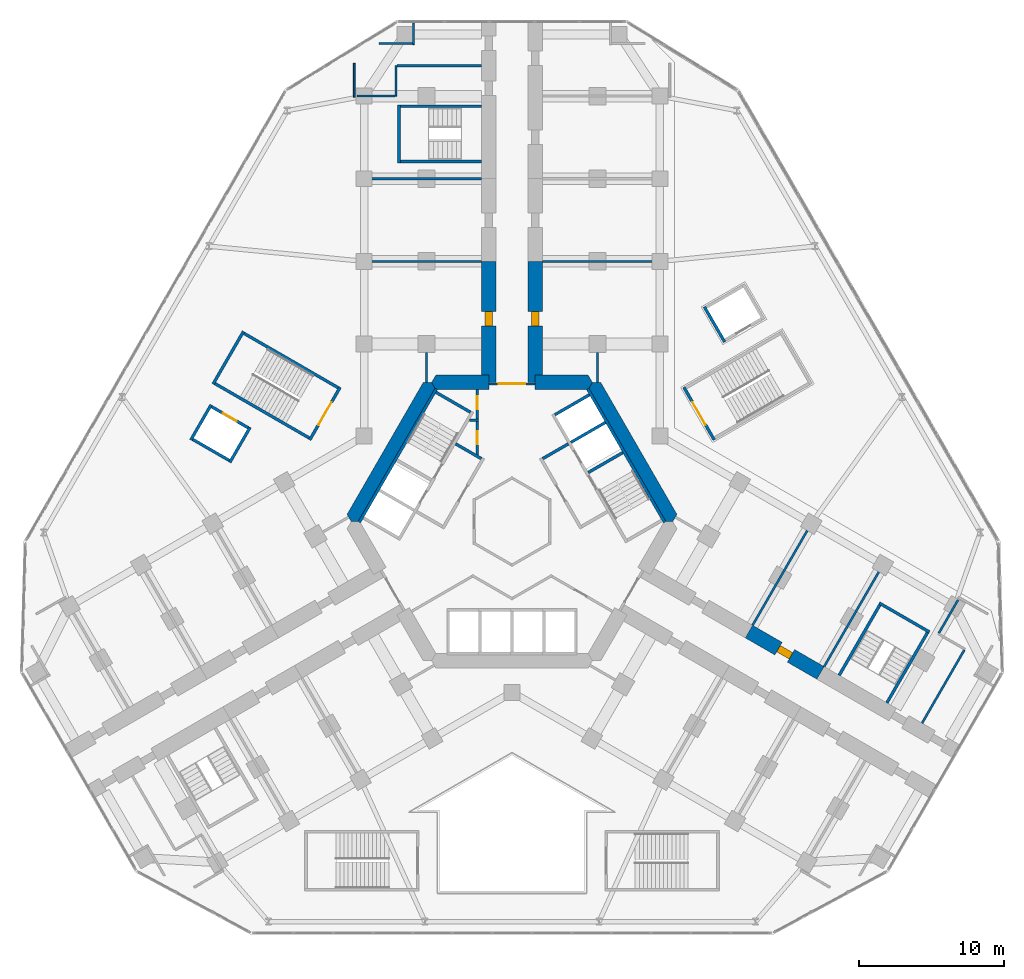
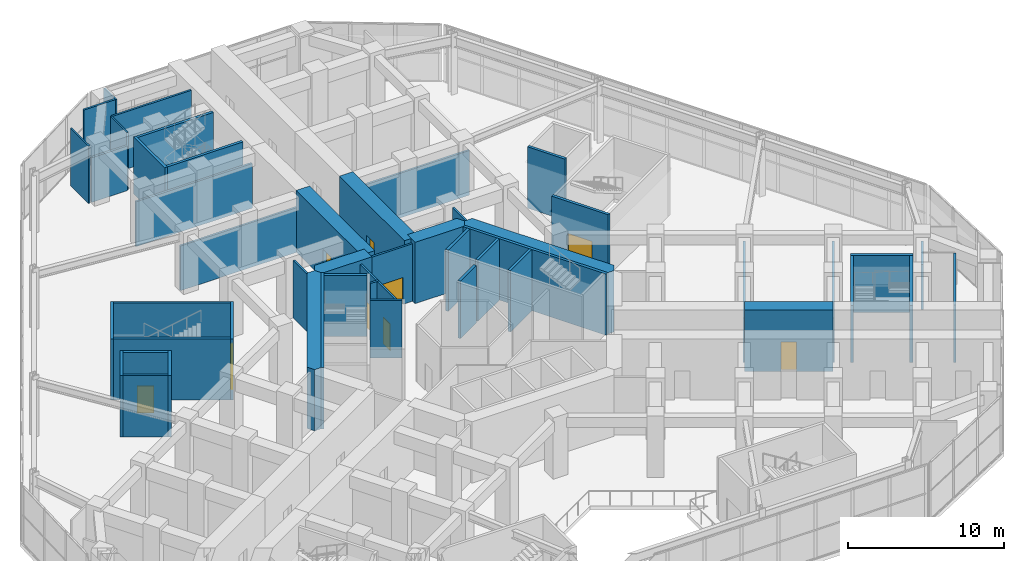
# One storey, part 17 of 22: 49 walls, 9 doors, 9 openings.
"""IFC4 building model written with IfcOpenShell, lengths in metres."""

from ifc_helpers import new_model, si_unit, direction, frame, frame_2d, origin, place, context, subcontext, project, spatial, polyline, rectangle, outline, extrude, material, layer, layer_set, type_object, element, fill, save


model = new_model("IFC4")

# Units and contexts
model_context = context("Model", 3, precision=1e-05, world=origin(), true_north=direction((0.0, 1.0)))
body_context = subcontext(model_context, "Body", "Model", "MODEL_VIEW")
ifc_project = project(units=[si_unit("LENGTHUNIT", "METRE"), si_unit("AREAUNIT", "SQUARE_METRE"), si_unit("VOLUMEUNIT", "CUBIC_METRE"), si_unit("PLANEANGLEUNIT", "RADIAN"), si_unit("MASSUNIT", "GRAM", prefix="KILO")], contexts=[model_context])

# Site, building, storey
site_placement = place(None, origin())
site = spatial("IfcSite", under=ifc_project, at=site_placement, CompositionType="ELEMENT")
building_placement = place(site_placement, origin())
building = spatial("IfcBuilding", under=site, at=building_placement, Name="Kosmar Iwan School Tower", CompositionType="ELEMENT")
storey_placement = place(building_placement, frame((0.0, 0.0, 10.800048828125)))
storey = spatial("IfcBuildingStorey", under=building, at=storey_placement, Name="L02", CompositionType="ELEMENT", Elevation=10.800048828125)

# Wall, openings, doors
ifc_material_1 = material(Name="Gypsum board on steel studs, fire-rated", Category="steel")
ifc_layer_1 = layer(ifc_material_1, 0.14990234375)
ifc_layer_set_1 = layer_set([ifc_layer_1], Name="Core room partition 150")
wall_type_1 = type_object("IfcWallType", Name="Core room partition 150", PredefinedType="PARTITIONING", material=ifc_layer_set_1)
wall_1_placement = place(storey_placement, frame((-2.39990234375, 9.094970703125, 0.0), z_axis=(0.0, 0.0, 1.0), x_axis=(0.0, -1.0, 0.0)))
wall_1 = element("IfcWall", 1, at=wall_1_placement, inside=storey, type_object=wall_type_1, Name="Core room partition L02-CW1", PredefinedType="PARTITIONING", context=body_context, shape_type="SweptSolid", body=[
    extrude(rectangle(XDim=4.564208984375, YDim=0.14990234375, at=frame_2d((2.2822265625, 0.0))), origin(), (0.0, 0.0, 1.0), 4.5),
])
opening_1_placement = place(wall_1_placement, frame((0.455078125, 0.0, 0.0)))
opening_1 = element("IfcOpeningElement", 2, at=opening_1_placement, cuts=wall_1, Name="Opening D14", PredefinedType="OPENING", context=body_context, shape_type="SweptSolid", body=[
    extrude(rectangle(XDim=0.89990234375, YDim=2.10009765625, at=frame_2d((0.449951171875, 1.050048828125))), frame((0.0, 0.0869140625, 0.0), z_axis=(0.0, -1.0, 0.0), x_axis=(1.0, 0.0, 0.0)), (0.0, 0.0, 1.0), 0.173828125),
])
opening_2_placement = place(wall_1_placement, frame((2.85498046875, 0.0, 0.0)))
opening_2 = element("IfcOpeningElement", 3, at=opening_2_placement, cuts=wall_1, Name="Opening D14", PredefinedType="OPENING", context=body_context, shape_type="SweptSolid", body=[
    extrude(rectangle(XDim=0.89990234375, YDim=2.10009765625, at=frame_2d((0.449951171875, 1.050048828125))), frame((0.0, 0.0869140625, 0.0), z_axis=(0.0, -1.0, 0.0), x_axis=(1.0, 0.0, 0.0)), (0.0, 0.0, 1.0), 0.173828125),
])
ifc_material_2 = material(Name="Timber fire door in steel frame", Category="steel")
door_type_1 = type_object("IfcDoorType", Name="Core room door 900x2100", OperationType="SINGLE_SWING_LEFT", PredefinedType="DOOR", material=ifc_material_2)
door_1_placement = place(opening_1_placement, origin())
door_1 = element("IfcDoor", 4, at=door_1_placement, inside=storey, type_object=door_type_1, Name="Electrical riser and switch room door L02 1", OperationType="SINGLE_SWING_LEFT", OverallHeight=2.10009765625, OverallWidth=0.89990234375, PredefinedType="DOOR", context=body_context, shape_type="SweptSolid", body=[
    extrude(rectangle(XDim=0.89990234375, YDim=2.10009765625, at=frame_2d((0.449951171875, 1.050048828125))), frame((0.0, 0.02490234375, 0.0), z_axis=(0.0, -1.0, 0.0), x_axis=(1.0, 0.0, 0.0)), (0.0, 0.0, 1.0), 0.050048828125),
])
fill(opening_1, door_1)
door_2_placement = place(opening_2_placement, origin())
door_2 = element("IfcDoor", 5, at=door_2_placement, inside=storey, type_object=door_type_1, Name="Plumbing and wet riser door L02 2", OperationType="SINGLE_SWING_RIGHT", OverallHeight=2.10009765625, OverallWidth=0.89990234375, PredefinedType="DOOR", context=body_context, shape_type="SweptSolid", body=[
    extrude(rectangle(XDim=0.89990234375, YDim=2.10009765625, at=frame_2d((0.449951171875, 1.050048828125))), frame((0.0, 0.02490234375, 0.0), z_axis=(0.0, -1.0, 0.0), x_axis=(1.0, 0.0, 0.0)), (0.0, 0.0, 1.0), 0.050048828125),
])
fill(opening_2, door_2)

# Walls
wall_2_placement = place(storey_placement, frame((-2.324951171875, 6.985107421875, 0.0), z_axis=(0.0, 0.0, 1.0), x_axis=(-1.0, 0.0, 0.0)))
element("IfcWall", 6, at=wall_2_placement, inside=storey, type_object=wall_type_1, Name="Core room partition L02-CW2", PredefinedType="PARTITIONING", context=body_context, shape_type="SweptSolid", body=[
    extrude(rectangle(XDim=0.623779296875, YDim=0.14990234375, at=frame_2d((0.31201171875, 0.0))), origin(), (0.0, 0.0, 1.0), 4.5),
])
ifc_material_3 = material(Name="Concrete C50/60", Category="concrete")
ifc_layer_2 = layer(ifc_material_3, 1.0)
ifc_layer_set_2 = layer_set([ifc_layer_2], Name="Core wall 1000")
wall_type_2 = type_object("IfcWallType", Name="Core wall 1000", PredefinedType="SHEAR", material=ifc_layer_set_2)
wall_3_placement = place(storey_placement, origin())
element("IfcWall", 7, at=wall_3_placement, inside=storey, type_object=wall_type_2, Name="Core wall F030", PredefinedType="SHEAR", context=body_context, shape_type="SweptSolid", body=[
    extrude(outline(polyline([(10.5078125, 0.0), (11.085205078125, 0.0), (11.373779296875, 0.5), (6.119873046875, 9.60009765625), (5.54248046875, 9.60009765625), (5.25390625, 9.10009765625), (10.5078125, 0.0)])), origin(), (0.0, 0.0, 1.0), 4.800048828125),
])
wall_4_placement = place(storey_placement, origin())
element("IfcWall", 8, at=wall_4_placement, inside=storey, type_object=wall_type_2, Name="Core wall F090a", PredefinedType="SHEAR", context=body_context, shape_type="SweptSolid", body=[
    extrude(outline(polyline([(1.60009765625, 9.10009765625), (5.25390625, 9.10009765625), (5.54248046875, 9.60009765625), (5.25390625, 10.10009765625), (1.60009765625, 10.10009765625), (1.60009765625, 9.10009765625)])), origin(), (0.0, 0.0, 1.0), 4.800048828125),
])
wall_5_placement = place(storey_placement, origin())
element("IfcWall", 9, at=wall_5_placement, inside=storey, type_object=wall_type_2, Name="Core wall F090b", PredefinedType="SHEAR", context=body_context, shape_type="SweptSolid", body=[
    extrude(outline(polyline([(-5.25390625, 9.10009765625), (-1.60009765625, 9.10009765625), (-1.60009765625, 10.10009765625), (-5.25390625, 10.10009765625), (-5.54248046875, 9.60009765625), (-5.25390625, 9.10009765625)])), origin(), (0.0, 0.0, 1.0), 4.800048828125),
])
wall_6_placement = place(storey_placement, origin())
element("IfcWall", 10, at=wall_6_placement, inside=storey, type_object=wall_type_2, Name="Core wall F150", PredefinedType="SHEAR", context=body_context, shape_type="SweptSolid", body=[
    extrude(outline(polyline([(-11.085205078125, 0.0), (-10.5078125, 0.0), (-5.25390625, 9.10009765625), (-5.54248046875, 9.60009765625), (-6.119873046875, 9.60009765625), (-11.373779296875, 0.5), (-11.085205078125, 0.0)])), origin(), (0.0, 0.0, 1.0), 4.800048828125),
])

# Wall, opening, door
ifc_material_4 = material(Name="Concrete C50/60", Category="concrete")
ifc_layer_3 = layer(ifc_material_4, 1.0)
ifc_layer_set_3 = layer_set([ifc_layer_3], Name="Corridor buttress wall 1000")
wall_type_3 = type_object("IfcWallType", Name="Corridor buttress wall 1000", PredefinedType="SHEAR", material=ifc_layer_set_3)
wall_7_placement = place(storey_placement, frame((-1.60009765625, 9.60009765625, 0.0), z_axis=(0.0, 0.0, 1.0), x_axis=(0.0, 1.0, 0.0)))
wall_7 = element("IfcWall", 11, at=wall_7_placement, inside=storey, type_object=wall_type_3, Name="Corridor wall AL", PredefinedType="SHEAR", context=body_context, shape_type="SweptSolid", body=[
    extrude(rectangle(XDim=8.349853515625, YDim=1.0, at=frame_2d((4.1748046875, 0.0))), origin(), (0.0, 0.0, 1.0), 4.800048828125),
])
opening_3_placement = place(wall_7_placement, frame((3.875, 0.0, 0.0)))
opening_3 = element("IfcOpeningElement", 12, at=opening_3_placement, cuts=wall_7, Name="Opening D4", PredefinedType="OPENING", context=body_context, shape_type="SweptSolid", body=[
    extrude(rectangle(XDim=1.0, YDim=2.300048828125, at=frame_2d((0.5, 1.14990234375))), frame((0.0, 0.511962890625, 0.0), z_axis=(0.0, -1.0, 0.0), x_axis=(1.0, 0.0, 0.0)), (0.0, 0.0, 1.0), 1.02392578125),
])
ifc_material_5 = material(Name="Timber fire door with vision panel", Category="wood")
door_type_2 = type_object("IfcDoorType", Name="Classroom door 1000x2300", OperationType="SINGLE_SWING_LEFT", PredefinedType="DOOR", material=ifc_material_5)
door_3_placement = place(opening_3_placement, origin())
door_3 = element("IfcDoor", 13, at=door_3_placement, inside=storey, type_object=door_type_2, Name="Primary classroom AL1 door L02-AL1", OperationType="SINGLE_SWING_RIGHT", OverallHeight=2.300048828125, OverallWidth=1.0, PredefinedType="DOOR", context=body_context, shape_type="SweptSolid", body=[
    extrude(rectangle(XDim=1.0, YDim=2.300048828125, at=frame_2d((0.5, 1.14990234375))), frame((0.0, 0.25, 0.0), z_axis=(0.0, -1.0, 0.0), x_axis=(1.0, 0.0, 0.0)), (0.0, 0.0, 1.0), 0.5),
])
fill(opening_3, door_3)

wall_8_placement = place(storey_placement, frame((1.60009765625, 9.60009765625, 0.0), z_axis=(0.0, 0.0, 1.0), x_axis=(0.0, 1.0, 0.0)))
wall_8 = element("IfcWall", 14, at=wall_8_placement, inside=storey, type_object=wall_type_3, Name="Corridor wall AR", PredefinedType="SHEAR", context=body_context, shape_type="SweptSolid", body=[
    extrude(rectangle(XDim=8.349853515625, YDim=1.0, at=frame_2d((4.1748046875, 0.0))), origin(), (0.0, 0.0, 1.0), 4.800048828125),
])
opening_4_placement = place(wall_8_placement, frame((3.875, 0.0, 0.0)))
opening_4 = element("IfcOpeningElement", 15, at=opening_4_placement, cuts=wall_8, Name="Opening D4", PredefinedType="OPENING", context=body_context, shape_type="SweptSolid", body=[
    extrude(rectangle(XDim=1.0, YDim=2.300048828125, at=frame_2d((0.5, 1.14990234375))), frame((0.0, 0.511962890625, 0.0), z_axis=(0.0, -1.0, 0.0), x_axis=(1.0, 0.0, 0.0)), (0.0, 0.0, 1.0), 1.02392578125),
])
door_4_placement = place(opening_4_placement, origin())
door_4 = element("IfcDoor", 16, at=door_4_placement, inside=storey, type_object=door_type_2, Name="Primary classroom AR1 door L02-AR1", OperationType="SINGLE_SWING_RIGHT", OverallHeight=2.300048828125, OverallWidth=1.0, PredefinedType="DOOR", context=body_context, shape_type="SweptSolid", body=[
    extrude(rectangle(XDim=1.0, YDim=2.300048828125, at=frame_2d((0.5, 1.14990234375))), frame((0.0, 0.25, 0.0), z_axis=(0.0, -1.0, 0.0), x_axis=(1.0, 0.0, 0.0)), (0.0, 0.0, 1.0), 0.5),
])
fill(opening_4, door_4)

wall_9_placement = place(storey_placement, frame((16.34521484375, -7.58935546875, 0.0), z_axis=(0.0, 0.0, 1.0), x_axis=(0.866015111908, -0.50001782563, 0.0)))
wall_9 = element("IfcWall", 17, at=wall_9_placement, inside=storey, type_object=wall_type_3, Name="Corridor wall CL bay 2", PredefinedType="SHEAR", context=body_context, shape_type="SweptSolid", body=[
    extrude(rectangle(XDim=5.699951171875, YDim=1.0, at=frame_2d((2.85009765625, 0.0))), origin(), (0.0, 0.0, 1.0), 4.800048828125),
])
opening_5_placement = place(wall_9_placement, frame((2.35009765625, 0.0, 0.0)))
opening_5 = element("IfcOpeningElement", 18, at=opening_5_placement, cuts=wall_9, Name="Opening D4", PredefinedType="OPENING", context=body_context, shape_type="SweptSolid", body=[
    extrude(rectangle(XDim=1.0, YDim=2.300048828125, at=frame_2d((0.5, 1.14990234375))), frame((0.0, 0.511962890625, 0.0), z_axis=(0.0, -1.0, 0.0), x_axis=(1.0, 0.0, 0.0)), (0.0, 0.0, 1.0), 1.02392578125),
])
door_5_placement = place(opening_5_placement, origin())
door_5 = element("IfcDoor", 19, at=door_5_placement, inside=storey, type_object=door_type_2, Name="Primary classroom CL2 door L02-CL2", OperationType="SINGLE_SWING_RIGHT", OverallHeight=2.300048828125, OverallWidth=1.0, PredefinedType="DOOR", context=body_context, shape_type="SweptSolid", body=[
    extrude(rectangle(XDim=1.0, YDim=2.300048828125, at=frame_2d((0.5, 1.14990234375))), frame((0.0, 0.25, 0.0), z_axis=(0.0, -1.0, 0.0), x_axis=(1.0, 0.0, 0.0)), (0.0, 0.0, 1.0), 0.5),
])
fill(opening_5, door_5)

ifc_material_6 = material(Name="Steel framed glazed screen", Category="steel")
ifc_layer_4 = layer(ifc_material_6, 0.14990234375)
ifc_layer_set_4 = layer_set([ifc_layer_4], Name="Corridor screen wall 150")
wall_type_4 = type_object("IfcWallType", Name="Corridor screen wall 150", PredefinedType="PARTITIONING", material=ifc_layer_set_4)
wall_10_placement = place(storey_placement, frame((1.60009765625, 9.5, 0.0), z_axis=(0.0, 0.0, 1.0), x_axis=(-1.0, 0.0, 0.0)))
wall_10 = element("IfcWall", 20, at=wall_10_placement, inside=storey, type_object=wall_type_4, Name="Corridor screen A L02", PredefinedType="PARTITIONING", context=body_context, shape_type="SweptSolid", body=[
    extrude(rectangle(XDim=3.2001953125, YDim=0.14990234375, at=frame_2d((1.60009765625, 0.0))), origin(), (0.0, 0.0, 1.0), 4.5),
])
opening_6_placement = place(wall_10_placement, frame((0.699951171875, 0.0, 0.0)))
opening_6 = element("IfcOpeningElement", 21, at=opening_6_placement, cuts=wall_10, Name="Opening D9", PredefinedType="OPENING", context=body_context, shape_type="SweptSolid", body=[
    extrude(rectangle(XDim=1.800048828125, YDim=2.10009765625, at=frame_2d((0.89990234375, 1.050048828125))), frame((0.0, 0.0869140625, 0.0), z_axis=(0.0, -1.0, 0.0), x_axis=(1.0, 0.0, 0.0)), (0.0, 0.0, 1.0), 0.173828125),
])
ifc_material_7 = material(Name="Steel framed glazed smoke door", Category="steel")
door_type_3 = type_object("IfcDoorType", Name="Corridor smoke door pair 1800x2100", OperationType="DOUBLE_DOOR_DOUBLE_SWING", PredefinedType="DOOR", material=ifc_material_7)
door_6_placement = place(opening_6_placement, origin())
door_6 = element("IfcDoor", 22, at=door_6_placement, inside=storey, type_object=door_type_3, Name="Corridor doors A L02", OperationType="DOUBLE_DOOR_DOUBLE_SWING", OverallHeight=2.10009765625, OverallWidth=1.800048828125, PredefinedType="DOOR", context=body_context, shape_type="SweptSolid", body=[
    extrude(rectangle(XDim=1.800048828125, YDim=2.10009765625, at=frame_2d((0.89990234375, 1.050048828125))), frame((0.0, 0.02490234375, 0.0), z_axis=(0.0, -1.0, 0.0), x_axis=(1.0, 0.0, 0.0)), (0.0, 0.0, 1.0), 0.050048828125),
])
fill(opening_6, door_6)

# Walls
ifc_material_8 = material(Name="Gypsum board on steel studs", Category="steel")
ifc_layer_5 = layer(ifc_material_8, 0.1201171875)
ifc_layer_set_5 = layer_set([ifc_layer_5], Name="Dwelling partition 120")
wall_type_5 = type_object("IfcWallType", Name="Dwelling partition 120", PredefinedType="PARTITIONING", material=ifc_layer_set_5)
wall_11_placement = place(storey_placement, frame((-6.7900390625, 32.89990234375, 0.0), z_axis=(0.0, 0.0, 1.0), x_axis=(0.0, 1.0, 0.0)))
element("IfcWall", 23, at=wall_11_placement, inside=storey, type_object=wall_type_5, Name="Partition L02-AL-DL", PredefinedType="PARTITIONING", context=body_context, shape_type="SweptSolid", body=[
    extrude(rectangle(XDim=1.4951171875, YDim=0.1201171875, at=frame_2d((0.74755859375, 0.0))), origin(), (0.0, 0.0, 1.0), 4.5),
])
wall_12_placement = place(storey_placement, frame((-10.8798828125, 29.27490234375, 0.0), z_axis=(0.0, 0.0, 1.0), x_axis=(0.0, 1.0, 0.0)))
element("IfcWall", 24, at=wall_12_placement, inside=storey, type_object=wall_type_5, Name="Partition L02-AL-TW", PredefinedType="PARTITIONING", context=body_context, shape_type="SweptSolid", body=[
    extrude(rectangle(XDim=2.3251953125, YDim=0.1201171875, at=frame_2d((1.16259765625, 0.0))), origin(), (0.0, 0.0, 1.0), 4.5),
])
wall_13_placement = place(storey_placement, frame((-8.0, 29.35009765625, 0.0), z_axis=(0.0, 0.0, 1.0), x_axis=(0.0, 1.0, 0.0)))
element("IfcWall", 25, at=wall_13_placement, inside=storey, type_object=wall_type_5, Name="Partition L02-AL-X3L", PredefinedType="PARTITIONING", context=body_context, shape_type="SweptSolid", body=[
    extrude(rectangle(XDim=2.099853515625, YDim=0.1201171875, at=frame_2d((1.0498046875, 0.0))), origin(), (0.0, 0.0, 1.0), 4.5),
])
ifc_material_9 = material(Name="Concrete C35/45", Category="concrete")
ifc_layer_6 = layer(ifc_material_9, 0.199951171875)
ifc_layer_set_6 = layer_set([ifc_layer_6], Name="Escape stair wall 200")
wall_type_6 = type_object("IfcWallType", Name="Escape stair wall 200", PredefinedType="SHEAR", material=ifc_layer_set_6)
for number, where, z_axis, x_axis, name in (
    (26, (-2.10009765625, 24.85009765625, 0.0), (0.0, 0.0, 1.0), (-1.0, 0.0, 0.0), "Stair WS1 wall"),
    (27, (-2.10009765625, 28.64990234375, 0.0), (0.0, 0.0, 1.0), (-1.0, 0.0, 0.0), "Stair WS1 wall"),
):
    element("IfcWall", number, at=place(storey_placement, frame(where, z_axis=z_axis, x_axis=x_axis)), inside=storey, type_object=wall_type_6, Name=name, PredefinedType="SHEAR", context=body_context, shape_type="SweptSolid", body=[
        extrude(rectangle(XDim=5.7998046875, YDim=0.199951171875, at=frame_2d((2.89990234375, 0.0))), origin(), (0.0, 0.0, 1.0), 4.47998046875),
    ])
wall_14_placement = place(storey_placement, frame((-7.800048828125, 24.75, 0.0), z_axis=(0.0, 0.0, 1.0), x_axis=(0.0, 1.0, 0.0)))
element("IfcWall", 28, at=wall_14_placement, inside=storey, type_object=wall_type_6, Name="Stair WS1 wall", PredefinedType="SHEAR", context=body_context, shape_type="SweptSolid", body=[
    extrude(rectangle(XDim=4.0, YDim=0.199951171875, at=frame_2d((2.0, 0.0))), origin(), (0.0, 0.0, 1.0), 4.47998046875),
])
for number, where, z_axis, x_axis, name in (
    (29, (22.57080078125, -10.6064453125, 0.0), (0.0, 0.0, 1.0), (0.499987231761, 0.866032775405, 0.0), "Stair WS3 wall"),
    (30, (25.861572265625, -12.50634765625, 0.0), (0.0, 0.0, 1.0), (0.500018801468, 0.86601454848, 0.0), "Stair WS3 wall"),
):
    element("IfcWall", number, at=place(storey_placement, frame(where, z_axis=z_axis, x_axis=x_axis)), inside=storey, type_object=wall_type_6, Name=name, PredefinedType="SHEAR", context=body_context, shape_type="SweptSolid", body=[
        extrude(rectangle(XDim=5.800048828125, YDim=0.199951171875, at=frame_2d((2.89990234375, 0.0))), origin(), (0.0, 0.0, 1.0), 4.47998046875),
    ])
wall_15_placement = place(storey_placement, frame((25.334228515625, -5.6201171875, 0.0), z_axis=(0.0, 0.0, 1.0), x_axis=(0.866026010844, -0.49999894854, 0.0)))
element("IfcWall", 31, at=wall_15_placement, inside=storey, type_object=wall_type_6, Name="Stair WS3 wall", PredefinedType="SHEAR", context=body_context, shape_type="SweptSolid", body=[
    extrude(rectangle(XDim=4.0, YDim=0.199951171875, at=frame_2d((2.0, 0.0))), origin(), (0.0, 0.0, 1.0), 4.47998046875),
])
ifc_material_10 = material(Name="Concrete block masonry", Category="masonry")
ifc_layer_7 = layer(ifc_material_10, 0.199951171875)
ifc_layer_set_7 = layer_set([ifc_layer_7], Name="Fire lobby wall 200")
wall_type_7 = type_object("IfcWallType", Name="Fire lobby wall 200", PredefinedType="PARTITIONING", material=ifc_layer_set_7)
for number, where, z_axis, x_axis, name in (
    (32, (-2.114013671875, 4.33837890625, 0.0), (0.0, 0.0, 1.0), (-0.866050731258, 0.499956128963, 0.0), "Firefighting lobby wall ST2"),
    (33, (2.114013671875, 4.33837890625, 0.0), (0.0, 0.0, 1.0), (0.866050731258, 0.499956128963, 0.0), "Firefighting lobby wall ST1"),
):
    element("IfcWall", number, at=place(storey_placement, frame(where, z_axis=z_axis, x_axis=x_axis)), inside=storey, type_object=wall_type_7, Name=name, PredefinedType="PARTITIONING", context=body_context, shape_type="SweptSolid", body=[
        extrude(rectangle(XDim=2.050048828125, YDim=0.199951171875, at=frame_2d((1.02490234375, 0.0))), origin(), (0.0, 0.0, 1.0), 4.5),
    ])
ifc_material_11 = material(Name="Concrete C50/60", Category="concrete")
ifc_layer_8 = layer(ifc_material_11, 0.199951171875)
ifc_layer_set_8 = layer_set([ifc_layer_8], Name="Lift shaft wall 200")
wall_type_8 = type_object("IfcWallType", Name="Lift shaft wall 200", PredefinedType="SHEAR", material=ifc_layer_set_8)
for number, where, z_axis, x_axis, name in (
    (34, (-5.22509765625, 9.14990234375, 0.0), (0.0, 0.0, 1.0), (-0.499994998079, -0.866028291626, 0.0), "Lift and stair back wall AB"),
    (35, (10.53662109375, -0.050048828125, 0.0), (0.0, 0.0, 1.0), (-0.499994998079, 0.866028291626, 0.0), "Lift and stair back wall AC"),
):
    element("IfcWall", number, at=place(storey_placement, frame(where, z_axis=z_axis, x_axis=x_axis)), inside=storey, type_object=wall_type_8, Name=name, PredefinedType="SHEAR", context=body_context, shape_type="SweptSolid", body=[
        extrude(rectangle(XDim=10.623046875, YDim=0.199951171875, at=frame_2d((5.3115234375, 0.0))), origin(), (0.0, 0.0, 1.0), 4.800048828125),
    ])
for number, where, z_axis, x_axis, name in (
    (36, (4.062744140625, 5.46337890625, 0.0), (0.0, 0.0, 1.0), (0.866027397988, 0.499996545922, 0.0), "Lift shaft wall AC 1"),
    (37, (2.962646484375, 7.368408203125, 0.0), (0.0, 0.0, 1.0), (0.866027397988, 0.499996545922, 0.0), "Lift shaft wall AC 2"),
):
    element("IfcWall", number, at=place(storey_placement, frame(where, z_axis=z_axis, x_axis=x_axis)), inside=storey, type_object=wall_type_8, Name=name, PredefinedType="SHEAR", context=body_context, shape_type="SweptSolid", body=[
        extrude(rectangle(XDim=2.75, YDim=0.199951171875, at=frame_2d((1.375, 0.0))), origin(), (0.0, 0.0, 1.0), 4.800048828125),
    ])
for number, where, z_axis, x_axis, name in (
    (38, (14.66796875, 12.39453125, 0.0), (0.0, 0.0, 1.0), (-0.500049511043, 0.865996816683, 0.0), "School lift SL1 shaft wall"),
    (39, (-18.06787109375, 6.505615234375, 0.0), (0.0, 0.0, 1.0), (-0.49994636267, -0.866056369097, 0.0), "School lift SL2 shaft wall"),
    (40, (-20.75244140625, 8.055419921875, 0.0), (0.0, 0.0, 1.0), (-0.500049511043, -0.865996816683, 0.0), "School lift SL2 shaft wall"),
):
    element("IfcWall", number, at=place(storey_placement, frame(where, z_axis=z_axis, x_axis=x_axis)), inside=storey, type_object=wall_type_8, Name=name, PredefinedType="SHEAR", context=body_context, shape_type="SweptSolid", body=[
        extrude(rectangle(XDim=2.800048828125, YDim=0.199951171875, at=frame_2d((1.39990234375, 0.0))), origin(), (0.0, 0.0, 1.0), 4.800048828125),
    ])
wall_16_placement = place(storey_placement, frame((-19.50439453125, 4.21728515625, 0.0), z_axis=(0.0, 0.0, 1.0), x_axis=(-0.866032775405, 0.499987231761, 0.0)))
element("IfcWall", 41, at=wall_16_placement, inside=storey, type_object=wall_type_8, Name="School lift SL2 shaft wall", PredefinedType="SHEAR", context=body_context, shape_type="SweptSolid", body=[
    extrude(rectangle(XDim=2.89990234375, YDim=0.199951171875, at=frame_2d((1.449951171875, 0.0))), origin(), (0.0, 0.0, 1.0), 4.800048828125),
])

# Wall, opening, door
wall_17_placement = place(storey_placement, frame((-18.20458984375, 6.468994140625, 0.0), z_axis=(0.0, 0.0, 1.0), x_axis=(-0.866032775405, 0.499987231761, 0.0)))
wall_17 = element("IfcWall", 42, at=wall_17_placement, inside=storey, type_object=wall_type_8, Name="School lift SL2 shaft wall", PredefinedType="SHEAR", context=body_context, shape_type="SweptSolid", body=[
    extrude(rectangle(XDim=2.89990234375, YDim=0.199951171875, at=frame_2d((1.449951171875, 0.0))), origin(), (0.0, 0.0, 1.0), 4.800048828125),
])
opening_7_placement = place(wall_17_placement, frame((0.89990234375, 0.0, 0.0)))
opening_7 = element("IfcOpeningElement", 43, at=opening_7_placement, cuts=wall_17, Name="Opening LD1", PredefinedType="OPENING", context=body_context, shape_type="SweptSolid", body=[
    extrude(rectangle(XDim=1.10009765625, YDim=2.10009765625, at=frame_2d((0.550048828125, 1.050048828125))), frame((0.0, 0.112060546875, 0.0), z_axis=(0.0, -1.0, 0.0), x_axis=(1.0, 0.0, 0.0)), (0.0, 0.0, 1.0), 0.223876953125),
])
ifc_material_12 = material(Name="Stainless steel sliding lift door", Category="steel")
door_type_4 = type_object("IfcDoorType", Name="Lift landing door 1100x2100", OperationType="SLIDING_TO_LEFT", PredefinedType="DOOR", material=ifc_material_12)
door_7_placement = place(opening_7_placement, origin())
door_7 = element("IfcDoor", 44, at=door_7_placement, inside=storey, type_object=door_type_4, Name="Lift SL2 landing door L02", OperationType="SLIDING_TO_LEFT", OverallHeight=2.10009765625, OverallWidth=1.10009765625, PredefinedType="DOOR", context=body_context, shape_type="SweptSolid", body=[
    extrude(rectangle(XDim=1.10009765625, YDim=2.10009765625, at=frame_2d((0.550048828125, 1.050048828125))), frame((0.0, 0.02490234375, 0.0), z_axis=(0.0, -1.0, 0.0), x_axis=(1.0, 0.0, 0.0)), (0.0, 0.0, 1.0), 0.050048828125),
])
fill(opening_7, door_7)

# Walls
ifc_material_13 = material(Name="Gypsum board on steel studs", Category="steel")
ifc_layer_9 = layer(ifc_material_13, 0.14990234375)
ifc_layer_set_9 = layer_set([ifc_layer_9], Name="School partition 150")
wall_type_9 = type_object("IfcWallType", Name="School partition 150", PredefinedType="PARTITIONING", material=ifc_layer_set_9)
wall_18_placement = place(storey_placement, frame((-5.89990234375, 9.60009765625, 0.0), z_axis=(0.0, 0.0, 1.0), x_axis=(0.0, 1.0, 0.0)))
element("IfcWall", 45, at=wall_18_placement, inside=storey, type_object=wall_type_9, Name="Partition L02-AL-NB", PredefinedType="PARTITIONING", context=body_context, shape_type="SweptSolid", body=[
    extrude(rectangle(XDim=2.0498046875, YDim=0.14990234375, at=frame_2d((1.02490234375, 0.0))), origin(), (0.0, 0.0, 1.0), 4.5),
])
wall_19_placement = place(storey_placement, frame((-6.72998046875, 32.97509765625, 0.0), z_axis=(0.0, 0.0, 1.0), x_axis=(-1.0, 0.0, 0.0)))
element("IfcWall", 46, at=wall_19_placement, inside=storey, type_object=wall_type_9, Name="Partition L02-AL-DC", PredefinedType="PARTITIONING", context=body_context, shape_type="SweptSolid", body=[
    extrude(rectangle(XDim=2.445068359375, YDim=0.14990234375, at=frame_2d((1.22265625, 0.0))), origin(), (0.0, 0.0, 1.0), 4.5),
])
for number, where, z_axis, x_axis, name in (
    (47, (-2.10009765625, 17.949951171875, 0.0), (0.0, 0.0, 1.0), (-1.0, 0.0, 0.0), "Partition L02-AL-X1"),
    (48, (-2.10009765625, 23.64990234375, 0.0), (0.0, 0.0, 1.0), (-1.0, 0.0, 0.0), "Partition L02-AL-X2"),
):
    element("IfcWall", number, at=place(storey_placement, frame(where, z_axis=z_axis, x_axis=x_axis)), inside=storey, type_object=wall_type_9, Name=name, PredefinedType="PARTITIONING", context=body_context, shape_type="SweptSolid", body=[
        extrude(rectangle(XDim=8.599853515625, YDim=0.14990234375, at=frame_2d((4.2998046875, 0.0))), origin(), (0.0, 0.0, 1.0), 3.5),
    ])
wall_20_placement = place(storey_placement, frame((-8.06005859375, 29.35009765625, 0.0), z_axis=(0.0, 0.0, 1.0), x_axis=(-1.0, 0.0, 0.0)))
element("IfcWall", 49, at=wall_20_placement, inside=storey, type_object=wall_type_9, Name="Partition L02-AL-X3", PredefinedType="PARTITIONING", context=body_context, shape_type="SweptSolid", body=[
    extrude(rectangle(XDim=2.639892578125, YDim=0.14990234375, at=frame_2d((1.31982421875, 0.0))), origin(), (0.0, 0.0, 1.0), 3.5),
])
wall_21_placement = place(storey_placement, frame((-2.10009765625, 31.449951171875, 0.0), z_axis=(0.0, 0.0, 1.0), x_axis=(-1.0, 0.0, 0.0)))
element("IfcWall", 50, at=wall_21_placement, inside=storey, type_object=wall_type_9, Name="Partition L02-AL-X3T", PredefinedType="PARTITIONING", context=body_context, shape_type="SweptSolid", body=[
    extrude(rectangle(XDim=5.83984375, YDim=0.14990234375, at=frame_2d((2.919921875, 0.0))), origin(), (0.0, 0.0, 1.0), 4.5),
])
wall_22_placement = place(storey_placement, frame((5.89990234375, 9.60009765625, 0.0), z_axis=(0.0, 0.0, 1.0), x_axis=(0.0, 1.0, 0.0)))
element("IfcWall", 51, at=wall_22_placement, inside=storey, type_object=wall_type_9, Name="Partition L02-AR-NB", PredefinedType="PARTITIONING", context=body_context, shape_type="SweptSolid", body=[
    extrude(rectangle(XDim=2.0498046875, YDim=0.14990234375, at=frame_2d((1.02490234375, 0.0))), origin(), (0.0, 0.0, 1.0), 4.5),
])
for number, where, z_axis, x_axis, name in (
    (52, (2.10009765625, 17.949951171875, 0.0), (0.0, 0.0, 1.0), (1.0, 0.0, 0.0), "Partition L02-AR-X1"),
    (53, (16.59521484375, -7.15625, 0.0), (0.0, 0.0, 1.0), (0.500007509209, 0.866021068297, 0.0), "Partition L02-CL-X1"),
    (54, (21.531494140625, -10.00634765625, 0.0), (0.0, 0.0, 1.0), (0.500007509209, 0.866021068297, 0.0), "Partition L02-CL-X2"),
):
    element("IfcWall", number, at=place(storey_placement, frame(where, z_axis=z_axis, x_axis=x_axis)), inside=storey, type_object=wall_type_9, Name=name, PredefinedType="PARTITIONING", context=body_context, shape_type="SweptSolid", body=[
        extrude(rectangle(XDim=8.599853515625, YDim=0.14990234375, at=frame_2d((4.2998046875, 0.0))), origin(), (0.0, 0.0, 1.0), 3.5),
    ])
wall_23_placement = place(storey_placement, frame((29.44775390625, -7.69482421875, 0.0), z_axis=(0.0, 0.0, 1.0), x_axis=(0.500007957085, 0.86602080971, 0.0)))
element("IfcWall", 55, at=wall_23_placement, inside=storey, type_object=wall_type_9, Name="Partition L02-CL-X3", PredefinedType="PARTITIONING", context=body_context, shape_type="SweptSolid", body=[
    extrude(rectangle(XDim=2.64013671875, YDim=0.14990234375, at=frame_2d((1.320068359375, 0.0))), origin(), (0.0, 0.0, 1.0), 3.5),
])
wall_24_placement = place(storey_placement, frame((28.286376953125, -13.90625, 0.0), z_axis=(0.0, 0.0, 1.0), x_axis=(0.500019182438, 0.866014328516, 0.0)))
element("IfcWall", 56, at=wall_24_placement, inside=storey, type_object=wall_type_9, Name="Partition L02-CL-X3T", PredefinedType="PARTITIONING", context=body_context, shape_type="SweptSolid", body=[
    extrude(rectangle(XDim=5.840087890625, YDim=0.14990234375, at=frame_2d((2.919921875, 0.0))), origin(), (0.0, 0.0, 1.0), 4.5),
])
ifc_material_14 = material(Name="Concrete C50/60", Category="concrete")
ifc_layer_10 = layer(ifc_material_14, 0.199951171875)
ifc_layer_set_10 = layer_set([ifc_layer_10], Name="Stair enclosure wall 200")
wall_type_10 = type_object("IfcWallType", Name="Stair enclosure wall 200", PredefinedType="SHEAR", material=ifc_layer_set_10)
for number, where, z_axis, x_axis, name in (
    (57, (-2.862548828125, 7.541748046875, 0.0), (0.0, 0.0, 1.0), (-0.866027397988, 0.499996545922, 0.0), "Stair ST2 wall"),
    (58, (5.2626953125, 3.384765625, 0.0), (0.0, 0.0, 1.0), (0.866027397988, 0.499996545922, 0.0), "Stair ST1 wall"),
):
    element("IfcWall", number, at=place(storey_placement, frame(where, z_axis=z_axis, x_axis=x_axis)), inside=storey, type_object=wall_type_10, Name=name, PredefinedType="SHEAR", context=body_context, shape_type="SweptSolid", body=[
        extrude(rectangle(XDim=2.75, YDim=0.199951171875, at=frame_2d((1.375, 0.0))), origin(), (0.0, 0.0, 1.0), 4.800048828125),
    ])

# Wall, opening, door
wall_25_placement = place(storey_placement, frame((13.953857421875, 5.63134765625, 0.0), z_axis=(0.0, 0.0, 1.0), x_axis=(-0.500027713859, 0.866009402589, 0.0)))
wall_25 = element("IfcWall", 59, at=wall_25_placement, inside=storey, type_object=wall_type_10, Name="School stair SS3 wall", PredefinedType="SHEAR", context=body_context, shape_type="SweptSolid", body=[
    extrude(rectangle(XDim=4.199951171875, YDim=0.199951171875, at=frame_2d((2.10009765625, 0.0))), origin(), (0.0, 0.0, 1.0), 4.800048828125),
])
opening_8_placement = place(wall_25_placement, frame((1.199951171875, 0.0, 0.0)))
opening_8 = element("IfcOpeningElement", 60, at=opening_8_placement, cuts=wall_25, Name="Opening D8", PredefinedType="OPENING", context=body_context, shape_type="SweptSolid", body=[
    extrude(rectangle(XDim=1.800048828125, YDim=2.300048828125, at=frame_2d((0.89990234375, 1.14990234375))), frame((0.0, 0.112060546875, 0.0), z_axis=(0.0, -1.0, 0.0), x_axis=(1.0, 0.0, 0.0)), (0.0, 0.0, 1.0), 0.223876953125),
])
ifc_material_15 = material(Name="Steel fire door", Category="steel")
door_type_5 = type_object("IfcDoorType", Name="School stair door pair 1800x2300", OperationType="DOUBLE_DOOR_SINGLE_SWING", PredefinedType="DOOR", material=ifc_material_15)
door_8_placement = place(opening_8_placement, origin())
door_8 = element("IfcDoor", 61, at=door_8_placement, inside=storey, type_object=door_type_5, Name="School stair SS3 door L02", OperationType="DOUBLE_DOOR_SINGLE_SWING", OverallHeight=2.300048828125, OverallWidth=1.800048828125, PredefinedType="DOOR", context=body_context, shape_type="SweptSolid", body=[
    extrude(rectangle(XDim=1.800048828125, YDim=2.300048828125, at=frame_2d((0.89990234375, 1.14990234375))), frame((0.0, 0.02490234375, 0.0), z_axis=(0.0, -1.0, 0.0), x_axis=(1.0, 0.0, 0.0)), (0.0, 0.0, 1.0), 0.050048828125),
])
fill(opening_8, door_8)

# Walls
for number, where, z_axis, x_axis, name in (
    (62, (-11.990478515625, 9.23193359375, 0.0), (0.0, 0.0, 1.0), (-0.866008863278, 0.500028647903, 0.0), "School stair SS4 wall"),
    (63, (-13.990478515625, 5.767822265625, 0.0), (0.0, 0.0, 1.0), (-0.866008863278, 0.500028647903, 0.0), "School stair SS4 wall"),
):
    element("IfcWall", number, at=place(storey_placement, frame(where, z_axis=z_axis, x_axis=x_axis)), inside=storey, type_object=wall_type_10, Name=name, PredefinedType="SHEAR", context=body_context, shape_type="SweptSolid", body=[
        extrude(rectangle(XDim=7.5, YDim=0.199951171875, at=frame_2d((3.75, 0.0))), origin(), (0.0, 0.0, 1.0), 4.800048828125),
    ])
wall_26_placement = place(storey_placement, frame((-18.522216796875, 13.11865234375, 0.0), z_axis=(0.0, 0.0, 1.0), x_axis=(-0.49998411664, -0.866034573852, 0.0)))
element("IfcWall", 64, at=wall_26_placement, inside=storey, type_object=wall_type_10, Name="School stair SS4 wall", PredefinedType="SHEAR", context=body_context, shape_type="SweptSolid", body=[
    extrude(rectangle(XDim=4.199951171875, YDim=0.199951171875, at=frame_2d((2.10009765625, 0.0))), origin(), (0.0, 0.0, 1.0), 4.800048828125),
])

# Wall, opening, door
wall_27_placement = place(storey_placement, frame((-11.853759765625, 9.2685546875, 0.0), z_axis=(0.0, 0.0, 1.0), x_axis=(-0.500027713859, -0.866009402589, 0.0)))
wall_27 = element("IfcWall", 65, at=wall_27_placement, inside=storey, type_object=wall_type_10, Name="School stair SS4 wall", PredefinedType="SHEAR", context=body_context, shape_type="SweptSolid", body=[
    extrude(rectangle(XDim=4.199951171875, YDim=0.199951171875, at=frame_2d((2.10009765625, 0.0))), origin(), (0.0, 0.0, 1.0), 4.800048828125),
])
opening_9_placement = place(wall_27_placement, frame((1.199951171875, 0.0, 0.0)))
opening_9 = element("IfcOpeningElement", 66, at=opening_9_placement, cuts=wall_27, Name="Opening D8", PredefinedType="OPENING", context=body_context, shape_type="SweptSolid", body=[
    extrude(rectangle(XDim=1.800048828125, YDim=2.300048828125, at=frame_2d((0.89990234375, 1.14990234375))), frame((0.0, 0.112060546875, 0.0), z_axis=(0.0, -1.0, 0.0), x_axis=(1.0, 0.0, 0.0)), (0.0, 0.0, 1.0), 0.223876953125),
])
door_9_placement = place(opening_9_placement, origin())
door_9 = element("IfcDoor", 67, at=door_9_placement, inside=storey, type_object=door_type_5, Name="School stair SS4 door L02", OperationType="DOUBLE_DOOR_SINGLE_SWING", OverallHeight=2.300048828125, OverallWidth=1.800048828125, PredefinedType="DOOR", context=body_context, shape_type="SweptSolid", body=[
    extrude(rectangle(XDim=1.800048828125, YDim=2.300048828125, at=frame_2d((0.89990234375, 1.14990234375))), frame((0.0, 0.02490234375, 0.0), z_axis=(0.0, -1.0, 0.0), x_axis=(1.0, 0.0, 0.0)), (0.0, 0.0, 1.0), 0.050048828125),
])
fill(opening_9, door_9)

save(model, "model.ifc")
